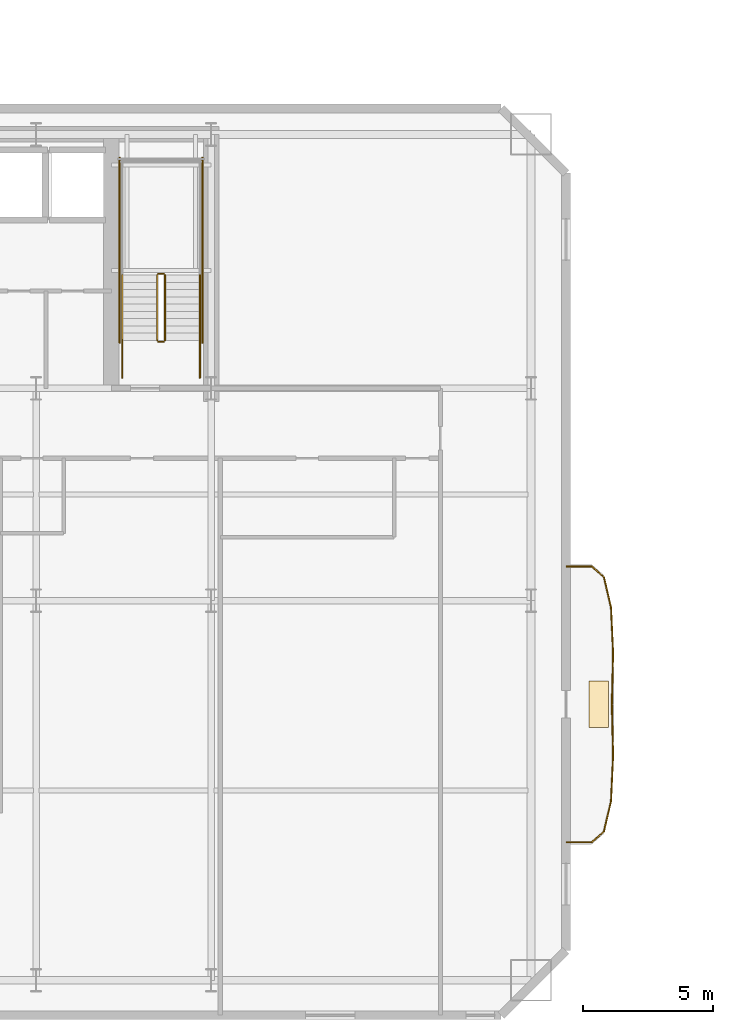
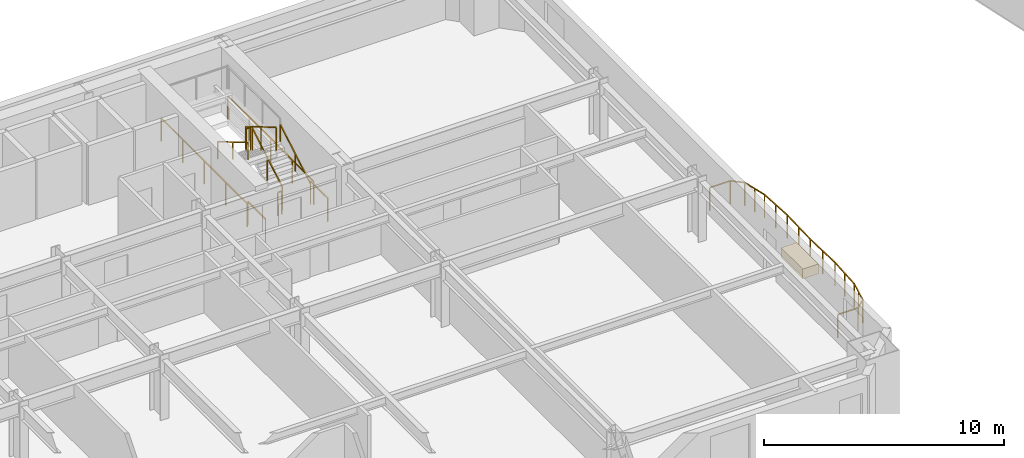
# One storey, part 12 of 16: 20 railings, 1 covering.
"""IFC4 building model written with IfcOpenShell, lengths in metres."""

from ifc_helpers import new_model, si_unit, direction, frame, origin, origin_2d, place, context, subcontext, project, spatial, rectangle, extrude, material, layer, layer_set, type_object, element, save


model = new_model("IFC4")

# Units and contexts
model_context = context("Model", 3, precision=1e-05, world=origin(), true_north=direction((0.0, 1.0)))
body_context = subcontext(model_context, "Body", "Model", "MODEL_VIEW")
ifc_project = project(units=[si_unit("LENGTHUNIT", "METRE"), si_unit("AREAUNIT", "SQUARE_METRE"), si_unit("VOLUMEUNIT", "CUBIC_METRE"), si_unit("PLANEANGLEUNIT", "RADIAN"), si_unit("MASSUNIT", "GRAM", prefix="KILO")], contexts=[model_context])

# Site, building, storey
site_placement = place(None, origin())
site = spatial("IfcSite", under=ifc_project, at=site_placement, CompositionType="ELEMENT")
building_placement = place(site_placement, origin())
building = spatial("IfcBuilding", under=site, at=building_placement, Name="Haevon Station Towers", CompositionType="ELEMENT")
storey_placement = place(building_placement, frame((0.0, 0.0, 43.800048828125)))
storey = spatial("IfcBuildingStorey", under=building, at=storey_placement, Name="L10", CompositionType="ELEMENT", Elevation=43.800048828125)

# Railings
ifc_material_1 = material(Name="Steel S355", Category="steel")
railing_type_1 = type_object("IfcRailingType", Name="GRD-EXT1200", PredefinedType="GUARDRAIL", material=ifc_material_1)
railing_1_placement = place(storey_placement, frame((64.72314453125, 20.677978515625, 0.0)))
element("IfcRailing", 1, at=railing_1_placement, inside=storey, type_object=railing_type_1, Name="L10 Perimeter Guardrail 1", PredefinedType="GUARDRAIL", context=body_context, shape_type="SweptSolid", body=[
    extrude(rectangle(XDim=0.048095703125, YDim=0.048095703125, at=origin_2d()), frame((0.0, 0.0, 1.17578125), z_axis=(0.999997991982, 0.002004003992, 0.0), x_axis=(-0.002004003992, 0.999997991982, 0.0)), (0.0, 0.0, 1.0), 0.974609375),
    extrude(rectangle(XDim=0.0419921875, YDim=0.0419921875, at=origin_2d()), origin(), (0.0, 0.0, 1.0), 1.15185546875),
    extrude(rectangle(XDim=0.0419921875, YDim=0.0419921875, at=origin_2d()), frame((0.974609375, 0.001953125, 0.0)), (0.0, 0.0, 1.0), 1.15185546875),
])
railing_2_placement = place(storey_placement, frame((65.69775390625, 20.679931640625, 0.0)))
element("IfcRailing", 2, at=railing_2_placement, inside=storey, type_object=railing_type_1, Name="L10 Perimeter Guardrail 2", PredefinedType="GUARDRAIL", context=body_context, shape_type="SweptSolid", body=[
    extrude(rectangle(XDim=0.048095703125, YDim=0.048095703125, at=origin_2d()), frame((0.0, 0.0, 1.17578125), z_axis=(0.750775765034, 0.660557151681, 0.0), x_axis=(-0.660557151681, 0.750775765034, 0.0)), (0.0, 0.0, 1.0), 0.622314453125),
    extrude(rectangle(XDim=0.0419921875, YDim=0.0419921875, at=origin_2d()), origin(), (0.0, 0.0, 1.0), 1.15185546875),
    extrude(rectangle(XDim=0.0419921875, YDim=0.0419921875, at=origin_2d()), frame((0.46728515625, 0.4111328125, 0.0)), (0.0, 0.0, 1.0), 1.15185546875),
])
railing_3_placement = place(storey_placement, frame((66.1650390625, 21.091064453125, 0.0)))
element("IfcRailing", 3, at=railing_3_placement, inside=storey, type_object=railing_type_1, Name="L10 Perimeter Guardrail 3", PredefinedType="GUARDRAIL", context=body_context, shape_type="SweptSolid", body=[
    extrude(rectangle(XDim=0.048095703125, YDim=0.048095703125, at=origin_2d()), frame((0.0, 0.0, 1.17578125), z_axis=(0.227396637596, 0.973802222841, 0.0), x_axis=(-0.973802222841, 0.227396637596, 0.0)), (0.0, 0.0, 1.0), 1.201416015625),
    extrude(rectangle(XDim=0.0419921875, YDim=0.0419921875, at=origin_2d()), origin(), (0.0, 0.0, 1.0), 1.15185546875),
    extrude(rectangle(XDim=0.0419921875, YDim=0.0419921875, at=origin_2d()), frame((0.13671875, 0.5849609375, 0.0)), (0.0, 0.0, 1.0), 1.15185546875),
    extrude(rectangle(XDim=0.0419921875, YDim=0.0419921875, at=origin_2d()), frame((0.273193359375, 1.169921875, 0.0)), (0.0, 0.0, 1.0), 1.15185546875),
])
railing_4_placement = place(storey_placement, frame((66.438232421875, 22.260986328125, 0.0)))
element("IfcRailing", 4, at=railing_4_placement, inside=storey, type_object=railing_type_1, Name="L10 Perimeter Guardrail 4", PredefinedType="GUARDRAIL", context=body_context, shape_type="SweptSolid", body=[
    extrude(rectangle(XDim=0.048095703125, YDim=0.048095703125, at=origin_2d()), frame((0.0, 0.0, 1.17578125), z_axis=(0.046419346873, 0.99892204112, 0.0), x_axis=(-0.99892204112, 0.046419346873, 0.0)), (0.0, 0.0, 1.0), 1.75146484375),
    extrude(rectangle(XDim=0.0419921875, YDim=0.0419921875, at=origin_2d()), origin(), (0.0, 0.0, 1.0), 1.15185546875),
    extrude(rectangle(XDim=0.0419921875, YDim=0.0419921875, at=origin_2d()), frame((0.04052734375, 0.874755859375, 0.0)), (0.0, 0.0, 1.0), 1.15185546875),
    extrude(rectangle(XDim=0.0419921875, YDim=0.0419921875, at=origin_2d()), frame((0.081298828125, 1.74951171875, 0.0)), (0.0, 0.0, 1.0), 1.15185546875),
])
railing_5_placement = place(storey_placement, frame((66.51953125, 24.010498046875, 0.0)))
element("IfcRailing", 5, at=railing_5_placement, inside=storey, type_object=railing_type_1, Name="L10 Perimeter Guardrail 5", PredefinedType="GUARDRAIL", context=body_context, shape_type="SweptSolid", body=[
    extrude(rectangle(XDim=0.048095703125, YDim=0.048095703125, at=origin_2d()), frame((0.0, 0.0, 1.17578125), z_axis=(-0.024290290781, 0.999704947359, 0.0), x_axis=(-0.999704947359, -0.024290290781, 0.0)), (0.0, 0.0, 1.0), 1.989990234375),
    extrude(rectangle(XDim=0.0419921875, YDim=0.0419921875, at=origin_2d()), origin(), (0.0, 0.0, 1.0), 1.15185546875),
    extrude(rectangle(XDim=0.0419921875, YDim=0.0419921875, at=origin_2d()), frame((-0.024169921875, 0.99462890625, 0.0)), (0.0, 0.0, 1.0), 1.15185546875),
    extrude(rectangle(XDim=0.0419921875, YDim=0.0419921875, at=origin_2d()), frame((-0.04833984375, 1.989501953125, 0.0)), (0.0, 0.0, 1.0), 1.15185546875),
])
railing_6_placement = place(storey_placement, frame((66.47119140625, 26.0, 0.0)))
element("IfcRailing", 6, at=railing_6_placement, inside=storey, type_object=railing_type_1, Name="L10 Perimeter Guardrail 6", PredefinedType="GUARDRAIL", context=body_context, shape_type="SweptSolid", body=[
    extrude(rectangle(XDim=0.048095703125, YDim=0.048095703125, at=origin_2d()), frame((0.0, 0.0, 1.17578125), z_axis=(0.024290290781, 0.999704947359, 0.0), x_axis=(-0.999704947359, 0.024290290781, 0.0)), (0.0, 0.0, 1.0), 1.989990234375),
    extrude(rectangle(XDim=0.0419921875, YDim=0.0419921875, at=origin_2d()), origin(), (0.0, 0.0, 1.0), 1.15185546875),
    extrude(rectangle(XDim=0.0419921875, YDim=0.0419921875, at=origin_2d()), frame((0.024169921875, 0.99462890625, 0.0)), (0.0, 0.0, 1.0), 1.15185546875),
    extrude(rectangle(XDim=0.0419921875, YDim=0.0419921875, at=origin_2d()), frame((0.04833984375, 1.989501953125, 0.0)), (0.0, 0.0, 1.0), 1.15185546875),
])
railing_7_placement = place(storey_placement, frame((66.51953125, 27.989501953125, 0.0)))
element("IfcRailing", 7, at=railing_7_placement, inside=storey, type_object=railing_type_1, Name="L10 Perimeter Guardrail 7", PredefinedType="GUARDRAIL", context=body_context, shape_type="SweptSolid", body=[
    extrude(rectangle(XDim=0.048095703125, YDim=0.048095703125, at=origin_2d()), frame((0.0, 0.0, 1.17578125), z_axis=(-0.046419346873, 0.99892204112, 0.0), x_axis=(-0.99892204112, -0.046419346873, 0.0)), (0.0, 0.0, 1.0), 1.75146484375),
    extrude(rectangle(XDim=0.0419921875, YDim=0.0419921875, at=origin_2d()), origin(), (0.0, 0.0, 1.0), 1.15185546875),
    extrude(rectangle(XDim=0.0419921875, YDim=0.0419921875, at=origin_2d()), frame((-0.04052734375, 0.874755859375, 0.0)), (0.0, 0.0, 1.0), 1.15185546875),
    extrude(rectangle(XDim=0.0419921875, YDim=0.0419921875, at=origin_2d()), frame((-0.081298828125, 1.74951171875, 0.0)), (0.0, 0.0, 1.0), 1.15185546875),
])
railing_8_placement = place(storey_placement, frame((66.438232421875, 29.739013671875, 0.0)))
element("IfcRailing", 8, at=railing_8_placement, inside=storey, type_object=railing_type_1, Name="L10 Perimeter Guardrail 8", PredefinedType="GUARDRAIL", context=body_context, shape_type="SweptSolid", body=[
    extrude(rectangle(XDim=0.048095703125, YDim=0.048095703125, at=origin_2d()), frame((0.0, 0.0, 1.17578125), z_axis=(-0.227396637596, 0.973802222841, 0.0), x_axis=(-0.973802222841, -0.227396637596, 0.0)), (0.0, 0.0, 1.0), 1.201416015625),
    extrude(rectangle(XDim=0.0419921875, YDim=0.0419921875, at=origin_2d()), origin(), (0.0, 0.0, 1.0), 1.15185546875),
    extrude(rectangle(XDim=0.0419921875, YDim=0.0419921875, at=origin_2d()), frame((-0.13671875, 0.5849609375, 0.0)), (0.0, 0.0, 1.0), 1.15185546875),
    extrude(rectangle(XDim=0.0419921875, YDim=0.0419921875, at=origin_2d()), frame((-0.273193359375, 1.169921875, 0.0)), (0.0, 0.0, 1.0), 1.15185546875),
])
railing_9_placement = place(storey_placement, frame((66.1650390625, 30.908935546875, 0.0)))
element("IfcRailing", 9, at=railing_9_placement, inside=storey, type_object=railing_type_1, Name="L10 Perimeter Guardrail 9", PredefinedType="GUARDRAIL", context=body_context, shape_type="SweptSolid", body=[
    extrude(rectangle(XDim=0.048095703125, YDim=0.048095703125, at=origin_2d()), frame((0.0, 0.0, 1.17578125), z_axis=(-0.750775765034, 0.660557151681, 0.0), x_axis=(-0.660557151681, -0.750775765034, 0.0)), (0.0, 0.0, 1.0), 0.622314453125),
    extrude(rectangle(XDim=0.0419921875, YDim=0.0419921875, at=origin_2d()), origin(), (0.0, 0.0, 1.0), 1.15185546875),
    extrude(rectangle(XDim=0.0419921875, YDim=0.0419921875, at=origin_2d()), frame((-0.46728515625, 0.4111328125, 0.0)), (0.0, 0.0, 1.0), 1.15185546875),
])
railing_10_placement = place(storey_placement, frame((65.69775390625, 31.320068359375, 0.0)))
element("IfcRailing", 10, at=railing_10_placement, inside=storey, type_object=railing_type_1, Name="L10 Perimeter Guardrail 10", PredefinedType="GUARDRAIL", context=body_context, shape_type="SweptSolid", body=[
    extrude(rectangle(XDim=0.048095703125, YDim=0.048095703125, at=origin_2d()), frame((0.0, 0.0, 1.17578125), z_axis=(-0.999997991982, 0.002004003992, 0.0), x_axis=(-0.002004003992, -0.999997991982, 0.0)), (0.0, 0.0, 1.0), 0.974609375),
    extrude(rectangle(XDim=0.0419921875, YDim=0.0419921875, at=origin_2d()), origin(), (0.0, 0.0, 1.0), 1.15185546875),
    extrude(rectangle(XDim=0.0419921875, YDim=0.0419921875, at=origin_2d()), frame((-0.974609375, 0.001953125, 0.0)), (0.0, 0.0, 1.0), 1.15185546875),
])
railing_type_2 = type_object("IfcRailingType", Name="GRD-STR1200", PredefinedType="GUARDRAIL", material=ifc_material_1)
railing_11_placement = place(storey_placement, frame((49.219970703125, 40.050048828125, 0.1650390625)))
element("IfcRailing", 11, at=railing_11_placement, inside=storey, type_object=railing_type_2, Name="L10 ST2 Stair Guard 1", PredefinedType="GUARDRAIL", context=body_context, shape_type="SweptSolid", body=[
    extrude(rectangle(XDim=0.048095703125, YDim=0.048095703125, at=origin_2d()), frame((0.0, 0.0, 1.17578125), z_axis=(0.0, 0.861560626758, 0.507654692109), x_axis=(-1.0, 0.0, 0.0)), (0.0, 0.0, 1.0), 2.925048828125),
    extrude(rectangle(XDim=0.0419921875, YDim=0.0419921875, at=origin_2d()), origin(), (0.0, 0.0, 1.0), 1.15185546875),
    extrude(rectangle(XDim=0.0419921875, YDim=0.0419921875, at=origin_2d()), frame((0.0, 1.260009765625, 0.742431640625)), (0.0, 0.0, 1.0), 1.15185546875),
    extrude(rectangle(XDim=0.0419921875, YDim=0.0419921875, at=origin_2d()), frame((0.0, 2.52001953125, 1.48486328125)), (0.0, 0.0, 1.0), 1.15185546875),
])
railing_12_placement = place(storey_placement, frame((49.169921875, 42.6201171875, 1.64990234375)))
element("IfcRailing", 12, at=railing_12_placement, inside=storey, type_object=railing_type_2, Name="L10 ST2 Stair Guard 2", PredefinedType="GUARDRAIL", context=body_context, shape_type="SweptSolid", body=[
    extrude(rectangle(XDim=0.048095703125, YDim=0.048095703125, at=origin_2d()), frame((0.0, 0.0, 1.17578125), z_axis=(-1.0, 0.0, 0.0), x_axis=(0.0, -1.0, 0.0)), (0.0, 0.0, 1.0), 0.199951171875),
    extrude(rectangle(XDim=0.0419921875, YDim=0.0419921875, at=origin_2d()), origin(), (0.0, 0.0, 1.0), 1.15185546875),
    extrude(rectangle(XDim=0.0419921875, YDim=0.0419921875, at=origin_2d()), frame((-0.199951171875, 0.0, 0.0)), (0.0, 0.0, 1.0), 1.15185546875),
])
railing_13_placement = place(storey_placement, frame((48.919921875, 42.570068359375, 1.81494140625)))
element("IfcRailing", 13, at=railing_13_placement, inside=storey, type_object=railing_type_2, Name="L10 ST2 Stair Guard 6", PredefinedType="GUARDRAIL", context=body_context, shape_type="SweptSolid", body=[
    extrude(rectangle(XDim=0.048095703125, YDim=0.048095703125, at=origin_2d()), frame((0.0, 0.0, 1.17578125), z_axis=(0.0, -0.86152411907, 0.507716645641), x_axis=(1.0, 0.0, 0.0)), (0.0, 0.0, 1.0), 2.925048828125),
    extrude(rectangle(XDim=0.0419921875, YDim=0.0419921875, at=origin_2d()), origin(), (0.0, 0.0, 1.0), 1.15185546875),
    extrude(rectangle(XDim=0.0419921875, YDim=0.0419921875, at=origin_2d()), frame((0.0, -1.260009765625, 0.74267578125)), (0.0, 0.0, 1.0), 1.15185546875),
    extrude(rectangle(XDim=0.0419921875, YDim=0.0419921875, at=origin_2d()), frame((0.0, -2.52001953125, 1.485107421875)), (0.0, 0.0, 1.0), 1.15185546875),
])
railing_14_placement = place(storey_placement, frame((49.169921875, 40.0, 0.0)))
element("IfcRailing", 14, at=railing_14_placement, inside=storey, type_object=railing_type_2, Name="L10 ST2 Stair Guard 7", PredefinedType="GUARDRAIL", context=body_context, shape_type="SweptSolid", body=[
    extrude(rectangle(XDim=0.048095703125, YDim=0.048095703125, at=origin_2d()), frame((0.0, 0.0, 1.17578125), z_axis=(-1.0, 0.0, 0.0), x_axis=(0.0, -1.0, 0.0)), (0.0, 0.0, 1.0), 0.199951171875),
    extrude(rectangle(XDim=0.0419921875, YDim=0.0419921875, at=origin_2d()), origin(), (0.0, 0.0, 1.0), 1.15185546875),
    extrude(rectangle(XDim=0.0419921875, YDim=0.0419921875, at=origin_2d()), frame((-0.199951171875, 0.0, 0.0)), (0.0, 0.0, 1.0), 1.15185546875),
])
for number, where, name in (
    (15, (50.570068359375, 38.60009765625, 0.0), "L10 ST2 Stair Guard 8"),
    (16, (47.570068359375, 38.60009765625, 0.0), "L10 ST2 Stair Guard 9"),
):
    element("IfcRailing", number, at=place(storey_placement, frame(where)), inside=storey, type_object=railing_type_2, Name=name, PredefinedType="GUARDRAIL", context=body_context, shape_type="SweptSolid", body=[
        extrude(rectangle(XDim=0.048095703125, YDim=0.048095703125, at=origin_2d()), frame((0.0, 0.0, 1.17578125), z_axis=(0.0, 1.0, 0.0), x_axis=(-1.0, 0.0, 0.0)), (0.0, 0.0, 1.0), 1.449951171875),
        extrude(rectangle(XDim=0.0419921875, YDim=0.0419921875, at=origin_2d()), origin(), (0.0, 0.0, 1.0), 1.15185546875),
        extrude(rectangle(XDim=0.0419921875, YDim=0.0419921875, at=origin_2d()), frame((0.0, 1.449951171875, 0.0)), (0.0, 0.0, 1.0), 1.15185546875),
    ])
for number, where, name in (
    (17, (50.669921875, 39.949951171875, 0.0), "L10 ST2 Stair Guard 10"),
    (18, (47.469970703125, 39.949951171875, 0.0), "L10 ST2 Stair Guard 11"),
):
    element("IfcRailing", number, at=place(storey_placement, frame(where)), inside=storey, type_object=railing_type_2, Name=name, PredefinedType="GUARDRAIL", context=body_context, shape_type="SweptSolid", body=[
        extrude(rectangle(XDim=0.048095703125, YDim=0.048095703125, at=origin_2d()), frame((0.0, 0.0, 1.17578125), z_axis=(0.0, 1.0, 0.0), x_axis=(-1.0, 0.0, 0.0)), (0.0, 0.0, 1.0), 7.150146484375),
        extrude(rectangle(XDim=0.0419921875, YDim=0.0419921875, at=origin_2d()), origin(), (0.0, 0.0, 1.0), 1.15185546875),
        extrude(rectangle(XDim=0.0419921875, YDim=0.0419921875, at=origin_2d()), frame((0.0, 1.78759765625, 0.0)), (0.0, 0.0, 1.0), 1.15185546875),
        extrude(rectangle(XDim=0.0419921875, YDim=0.0419921875, at=origin_2d()), frame((0.0, 3.5751953125, 0.0)), (0.0, 0.0, 1.0), 1.15185546875),
        extrude(rectangle(XDim=0.0419921875, YDim=0.0419921875, at=origin_2d()), frame((0.0, 5.362548828125, 0.0)), (0.0, 0.0, 1.0), 1.15185546875),
        extrude(rectangle(XDim=0.0419921875, YDim=0.0419921875, at=origin_2d()), frame((0.0, 7.150146484375, 0.0)), (0.0, 0.0, 1.0), 1.15185546875),
    ])
railing_type_3 = type_object("IfcRailingType", Name="HND-STR900", PredefinedType="HANDRAIL", material=ifc_material_1)
railing_15_placement = place(storey_placement, frame((50.570068359375, 40.050048828125, 0.1650390625)))
element("IfcRailing", 19, at=railing_15_placement, inside=storey, type_object=railing_type_3, Name="L10 ST2 Stair Handrail 1", PredefinedType="HANDRAIL", context=body_context, shape_type="SweptSolid", body=[
    extrude(rectangle(XDim=0.048095703125, YDim=0.048095703125, at=origin_2d()), frame((0.0, 0.0, 0.8759765625), z_axis=(0.0, 0.861560626758, 0.507654692109), x_axis=(-1.0, 0.0, 0.0)), (0.0, 0.0, 1.0), 2.925048828125),
    extrude(rectangle(XDim=0.0419921875, YDim=0.0419921875, at=origin_2d()), origin(), (0.0, 0.0, 1.0), 0.851806640625),
    extrude(rectangle(XDim=0.0419921875, YDim=0.0419921875, at=origin_2d()), frame((0.0, 1.260009765625, 0.742431640625)), (0.0, 0.0, 1.0), 0.851806640625),
    extrude(rectangle(XDim=0.0419921875, YDim=0.0419921875, at=origin_2d()), frame((0.0, 2.52001953125, 1.48486328125)), (0.0, 0.0, 1.0), 0.851806640625),
])
railing_16_placement = place(storey_placement, frame((47.570068359375, 42.570068359375, 1.81494140625)))
element("IfcRailing", 20, at=railing_16_placement, inside=storey, type_object=railing_type_3, Name="L10 ST2 Stair Handrail 2", PredefinedType="HANDRAIL", context=body_context, shape_type="SweptSolid", body=[
    extrude(rectangle(XDim=0.048095703125, YDim=0.048095703125, at=origin_2d()), frame((0.0, 0.0, 0.8759765625), z_axis=(0.0, -0.86152411907, 0.507716645641), x_axis=(1.0, 0.0, 0.0)), (0.0, 0.0, 1.0), 2.925048828125),
    extrude(rectangle(XDim=0.0419921875, YDim=0.0419921875, at=origin_2d()), origin(), (0.0, 0.0, 1.0), 0.851806640625),
    extrude(rectangle(XDim=0.0419921875, YDim=0.0419921875, at=origin_2d()), frame((0.0, -1.260009765625, 0.74267578125)), (0.0, 0.0, 1.0), 0.851806640625),
    extrude(rectangle(XDim=0.0419921875, YDim=0.0419921875, at=origin_2d()), frame((0.0, -2.52001953125, 1.485107421875)), (0.0, 0.0, 1.0), 0.851806640625),
])

# Covering
ifc_material_2 = material(Name="Architectural planter GRC", Category="concrete")
ifc_layer = layer(ifc_material_2, 0.550048828125)
ifc_layer_set = layer_set([ifc_layer], Name="Architectural planter GRC")
covering_type = type_object("IfcCoveringType", Name="PLN-GRC550", PredefinedType="MOLDING", material=ifc_layer_set)
covering_placement = place(storey_placement, frame((65.969482421875, 26.0, 0.0), z_axis=(0.0, 0.0, 1.0), x_axis=(1.0, 0.0, 0.0)))
element("IfcCovering", 21, at=covering_placement, inside=storey, type_object=covering_type, Name="Tower 1 L10 Scalloped Balcony PLANTER", PredefinedType="MOLDING", context=body_context, shape_type="SweptSolid", body=[
    extrude(rectangle(XDim=0.75, YDim=1.800048828125, at=origin_2d()), origin(), (0.0, 0.0, 1.0), 0.5),
])

save(model, "model.ifc")
